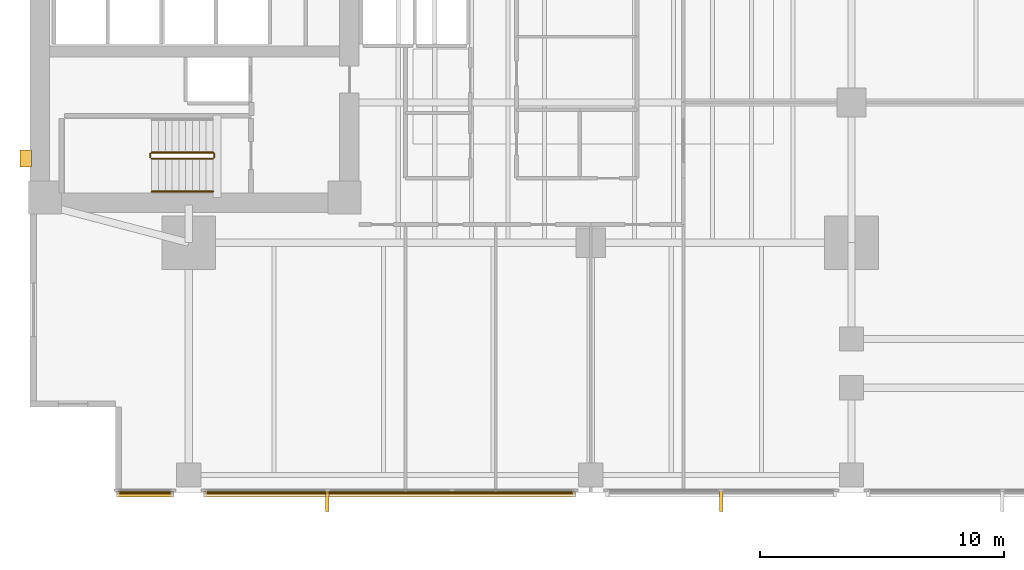
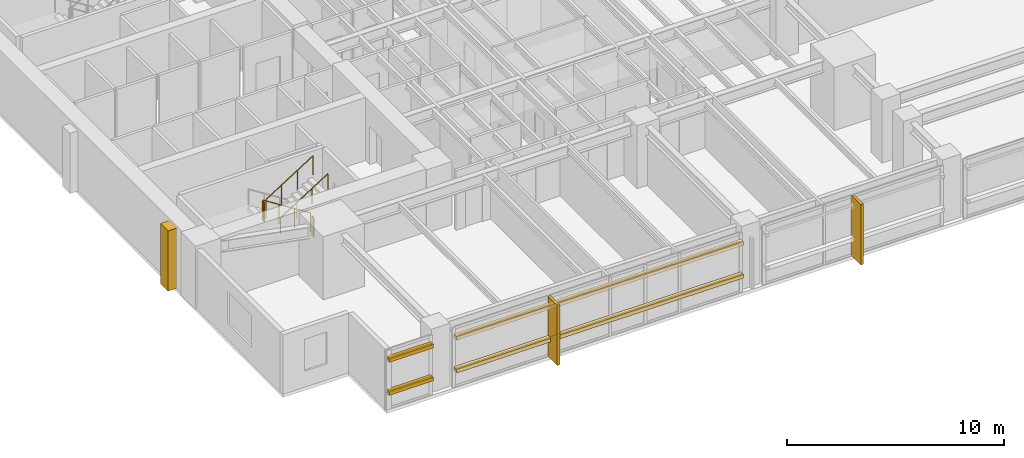
# One storey, part 12 of 15: 7 coverings, 5 railings, 4 shading devices.
"""IFC4 building model written with IfcOpenShell, lengths in metres."""

from ifc_helpers import new_model, si_unit, direction, frame, origin, origin_2d, place, context, subcontext, project, spatial, polyline, rectangle, circle, outline, extrude, material, layer, layer_set, material_profile, profile_set, type_object, element, save


model = new_model("IFC4")

# Units and contexts
model_context = context("Model", 3, precision=1e-05, world=origin(), true_north=direction((0.0, 1.0)))
body_context = subcontext(model_context, "Body", "Model", "MODEL_VIEW")
ifc_project = project(units=[si_unit("LENGTHUNIT", "METRE"), si_unit("AREAUNIT", "SQUARE_METRE"), si_unit("VOLUMEUNIT", "CUBIC_METRE"), si_unit("PLANEANGLEUNIT", "RADIAN"), si_unit("MASSUNIT", "GRAM", prefix="KILO")], contexts=[model_context])

# Site, building, storey
site_placement = place(None, origin())
site = spatial("IfcSite", under=ifc_project, at=site_placement, CompositionType="ELEMENT")
building_placement = place(site_placement, origin())
building = spatial("IfcBuilding", under=site, at=building_placement, Name="Kinhvarn Gate Tower", CompositionType="ELEMENT")
storey_placement = place(building_placement, frame((0.0, 0.0, 89.5)))
storey = spatial("IfcBuildingStorey", under=building, at=storey_placement, Name="L23", CompositionType="ELEMENT", Elevation=89.5)

# Coverings
ifc_material_1 = material(Name="Fired architectural terracotta", Category="masonry")
ifc_layer_1 = layer(ifc_material_1, 0.239990234375)
ifc_layer_set_1 = layer_set([ifc_layer_1], Name="Fired architectural terracotta")
covering_type_1 = type_object("IfcCoveringType", Name="COV-BAG-220", PredefinedType="CLADDING", material=ifc_layer_set_1)
for number, where, name in (
    (1, (0.0, 0.0, 0.93994140625), "Terracotta Horizontal Sunscreen Band TBG-220 (L23)"),
    (2, (0.0, 0.0, 2.7900390625), "Terracotta Horizontal Sunscreen Band TBG-220 (L23)"),
):
    element("IfcCovering", number, at=place(storey_placement, frame(where)), inside=storey, type_object=covering_type_1, Name=name, PredefinedType="CLADDING", context=body_context, shape_type="SweptSolid", body=[
        extrude(outline(polyline([(8.0400390625, 2.56005859375), (10.3798828125, 2.56005859375), (10.3798828125, 2.320068359375), (8.0400390625, 2.320068359375), (8.0400390625, 2.56005859375)])), origin(), (0.0, 0.0, 1.0), 0.219970703125),
    ])
for number, where, name in (
    (3, (0.0, 0.0, 0.93994140625), "Terracotta Horizontal Sunscreen Band TBG-220 (L23)"),
    (4, (0.0, 0.0, 2.7900390625), "Terracotta Horizontal Sunscreen Band TBG-220 (L23)"),
):
    element("IfcCovering", number, at=place(storey_placement, frame(where)), inside=storey, type_object=covering_type_1, Name=name, PredefinedType="CLADDING", context=body_context, shape_type="SweptSolid", body=[
        extrude(outline(polyline([(11.6201171875, 2.56005859375), (26.8798828125, 2.56005859375), (26.8798828125, 2.320068359375), (11.6201171875, 2.320068359375), (11.6201171875, 2.56005859375)])), origin(), (0.0, 0.0, 1.0), 0.219970703125),
    ])
ifc_layer_2 = layer(ifc_material_1, 0.139892578125)
ifc_layer_set_2 = layer_set([ifc_layer_2], Name="Fired architectural terracotta")
covering_type_2 = type_object("IfcCoveringType", Name="COV-FIN-850", PredefinedType="CLADDING", material=ifc_layer_set_2)
covering_1_placement = place(storey_placement, frame((0.0, 0.0, -0.02001953125)))
element("IfcCovering", 5, at=covering_1_placement, inside=storey, type_object=covering_type_2, Name="Vertical Terracotta Expressive Fin TFN-850 (L23)", PredefinedType="CLADDING", context=body_context, shape_type="SweptSolid", body=[
    extrude(outline(polyline([(16.623291015625, 2.570068359375), (16.76318359375, 2.570068359375), (16.76318359375, 1.719970703125), (16.623291015625, 1.719970703125), (16.623291015625, 2.570068359375)])), origin(), (0.0, 0.0, 1.0), 3.39013671875),
])
covering_2_placement = place(storey_placement, frame((0.0, 0.0, -0.02001953125)))
element("IfcCovering", 6, at=covering_2_placement, inside=storey, type_object=covering_type_2, Name="Vertical Terracotta Expressive Fin TFN-850 (L23)", PredefinedType="CLADDING", context=body_context, shape_type="SweptSolid", body=[
    extrude(outline(polyline([(32.780029296875, 2.570068359375), (32.919921875, 2.570068359375), (32.919921875, 1.719970703125), (32.780029296875, 1.719970703125), (32.780029296875, 2.570068359375)])), origin(), (0.0, 0.0, 1.0), 3.39013671875),
])
ifc_material_2 = material(Name="Precast white architectural concrete C40/50", Category="concrete")
ifc_layer_3 = layer(ifc_material_2, 0.47998046875)
ifc_layer_set_3 = layer_set([ifc_layer_3], Name="Precast white architectural concrete C40/50")
covering_type_3 = type_object("IfcCoveringType", Name="COV-RIB-450", PredefinedType="CLADDING", material=ifc_layer_set_3)
covering_3_placement = place(storey_placement, frame((0.0, 0.0, -0.02001953125)))
element("IfcCovering", 7, at=covering_3_placement, inside=storey, type_object=covering_type_3, Name="West Core Sculptural Concrete Relief Rib CRB-450 (L23)", PredefinedType="CLADDING", context=body_context, shape_type="SweptSolid", body=[
    extrude(outline(polyline([(4.080078125, 15.85009765625), (4.56005859375, 15.85009765625), (4.56005859375, 16.550048828125), (4.080078125, 16.550048828125), (4.080078125, 15.85009765625)])), origin(), (0.0, 0.0, 1.0), 3.39013671875),
])

# Railings
ifc_material_3 = material(Name="Steel S355", Category="steel")
railing_type_1 = type_object("IfcRailingType", Name="RL-ST-GRD", PredefinedType="BALUSTRADE", material=ifc_material_3)
railing_1_placement = place(storey_placement, frame((12.0, 16.449951171875, 0.177490234375)))
element("IfcRailing", 8, at=railing_1_placement, inside=storey, type_object=railing_type_1, Name="L23 ST1 stair guard 1", PredefinedType="BALUSTRADE", context=body_context, shape_type="SweptSolid", body=[
    extrude(circle(Radius=0.02392578125, at=origin_2d()), frame((0.0, 0.0, 1.076171875), z_axis=(-0.84460694969, 0.0, 0.535386869969), x_axis=(0.0, -1.0, 0.0)), (0.0, 0.0, 1.0), 2.983642578125),
    extrude(circle(Radius=0.02099609375, at=origin_2d()), origin(), (0.0, 0.0, 1.0), 1.052001953125),
    extrude(circle(Radius=0.02099609375, at=origin_2d()), frame((-0.840087890625, 0.0, 0.532470703125)), (0.0, 0.0, 1.0), 1.052001953125),
    extrude(circle(Radius=0.02099609375, at=origin_2d()), frame((-1.679931640625, 0.0, 1.06494140625)), (0.0, 0.0, 1.0), 1.052001953125),
    extrude(circle(Radius=0.02099609375, at=origin_2d()), frame((-2.52001953125, 0.0, 1.597412109375)), (0.0, 0.0, 1.0), 1.052001953125),
])
railing_2_placement = place(storey_placement, frame((9.429931640625, 16.39990234375, 1.77490234375)))
element("IfcRailing", 9, at=railing_2_placement, inside=storey, type_object=railing_type_1, Name="L23 ST1 stair guard 2", PredefinedType="BALUSTRADE", context=body_context, shape_type="SweptSolid", body=[
    extrude(circle(Radius=0.02392578125, at=origin_2d()), frame((0.0, 0.0, 1.076171875), z_axis=(0.0, -1.0, 0.0), x_axis=(1.0, 0.0, 0.0)), (0.0, 0.0, 1.0), 0.14990234375),
    extrude(circle(Radius=0.02099609375, at=origin_2d()), origin(), (0.0, 0.0, 1.0), 1.052001953125),
    extrude(circle(Radius=0.02099609375, at=origin_2d()), frame((0.0, -0.14990234375, 0.0)), (0.0, 0.0, 1.0), 1.052001953125),
])
railing_3_placement = place(storey_placement, frame((9.47998046875, 16.199951171875, 1.952392578125)))
element("IfcRailing", 10, at=railing_3_placement, inside=storey, type_object=railing_type_1, Name="L23 ST1 stair guard 3", PredefinedType="BALUSTRADE", context=body_context, shape_type="SweptSolid", body=[
    extrude(circle(Radius=0.02392578125, at=origin_2d()), frame((0.0, 0.0, 1.076171875), z_axis=(0.84456994832, 0.0, 0.535445237532), x_axis=(0.0, 1.0, 0.0)), (0.0, 0.0, 1.0), 2.98388671875),
    extrude(circle(Radius=0.02099609375, at=origin_2d()), origin(), (0.0, 0.0, 1.0), 1.052001953125),
    extrude(circle(Radius=0.02099609375, at=origin_2d()), frame((0.840087890625, 0.0, 0.532470703125)), (0.0, 0.0, 1.0), 1.052001953125),
    extrude(circle(Radius=0.02099609375, at=origin_2d()), frame((1.679931640625, 0.0, 1.065185546875)), (0.0, 0.0, 1.0), 1.052001953125),
    extrude(circle(Radius=0.02099609375, at=origin_2d()), frame((2.52001953125, 0.0, 1.59765625)), (0.0, 0.0, 1.0), 1.052001953125),
])
railing_4_placement = place(storey_placement, frame((12.050048828125, 16.39990234375, 0.0)))
element("IfcRailing", 11, at=railing_4_placement, inside=storey, type_object=railing_type_1, Name="L23 ST1 stair guard 4", PredefinedType="BALUSTRADE", context=body_context, shape_type="SweptSolid", body=[
    extrude(circle(Radius=0.02392578125, at=origin_2d()), frame((0.0, 0.0, 1.076171875), z_axis=(0.0, -1.0, 0.0), x_axis=(1.0, 0.0, 0.0)), (0.0, 0.0, 1.0), 0.14990234375),
    extrude(circle(Radius=0.02099609375, at=origin_2d()), origin(), (0.0, 0.0, 1.0), 1.052001953125),
    extrude(circle(Radius=0.02099609375, at=origin_2d()), frame((0.0, -0.14990234375, 0.0)), (0.0, 0.0, 1.0), 1.052001953125),
])
railing_type_2 = type_object("IfcRailingType", Name="RL-ST-HND", PredefinedType="HANDRAIL", material=ifc_material_3)
railing_5_placement = place(storey_placement, frame((9.47998046875, 14.85009765625, 1.952392578125)))
element("IfcRailing", 12, at=railing_5_placement, inside=storey, type_object=railing_type_2, Name="L23 ST1 stair handrail 2", PredefinedType="HANDRAIL", context=body_context, shape_type="SweptSolid", body=[
    extrude(circle(Radius=0.02392578125, at=origin_2d()), frame((0.0, 0.0, 0.8759765625), z_axis=(0.84456994832, 0.0, 0.535445237532), x_axis=(0.0, 1.0, 0.0)), (0.0, 0.0, 1.0), 2.98388671875),
    extrude(circle(Radius=0.02099609375, at=origin_2d()), origin(), (0.0, 0.0, 1.0), 0.851806640625),
    extrude(circle(Radius=0.02099609375, at=origin_2d()), frame((0.840087890625, 0.0, 0.532470703125)), (0.0, 0.0, 1.0), 0.851806640625),
    extrude(circle(Radius=0.02099609375, at=origin_2d()), frame((1.679931640625, 0.0, 1.065185546875)), (0.0, 0.0, 1.0), 0.851806640625),
    extrude(circle(Radius=0.02099609375, at=origin_2d()), frame((2.52001953125, 0.0, 1.59765625)), (0.0, 0.0, 1.0), 0.851806640625),
])

# Shading devices
ifc_material_profile = material_profile(ifc_material_1, rectangle(XDim=0.06005859375, YDim=0.139892578125, at=origin_2d()), Name="TC 60x140")
ifc_profile_set = profile_set([ifc_material_profile], Name="Fired architectural terracotta")
shading_device_type = type_object("IfcShadingDeviceType", Name="SHD-BAG-180", PredefinedType="USERDEFINED", material=ifc_profile_set)
for number, where, z_axis, x_axis, name in (
    (13, (8.0400390625, 2.485107421875, 1.050048828125), (1.0, 0.0, 0.0), (0.0, 1.0, 0.0), "Fired Terracotta Baguette Screen Rod 60x140 mm (L23)"),
    (14, (8.0400390625, 2.485107421875, 2.89990234375), (1.0, 0.0, 0.0), (0.0, 1.0, 0.0), "Fired Terracotta Baguette Screen Rod 60x140 mm (L23)"),
):
    element("IfcShadingDevice", number, at=place(storey_placement, frame(where, z_axis=z_axis, x_axis=x_axis)), inside=storey, type_object=shading_device_type, Name=name, ObjectType="BAGUETTE", PredefinedType="USERDEFINED", context=body_context, shape_type="SweptSolid", body=[
        extrude(rectangle(XDim=0.06005859375, YDim=0.139892578125, at=origin_2d()), origin(), (0.0, 0.0, 1.0), 2.33984375),
    ])
for number, where, z_axis, x_axis, name in (
    (15, (11.6201171875, 2.485107421875, 1.050048828125), (1.0, 0.0, 0.0), (0.0, 1.0, 0.0), "Fired Terracotta Baguette Screen Rod 60x140 mm (L23)"),
    (16, (11.6201171875, 2.485107421875, 2.89990234375), (1.0, 0.0, 0.0), (0.0, 1.0, 0.0), "Fired Terracotta Baguette Screen Rod 60x140 mm (L23)"),
):
    element("IfcShadingDevice", number, at=place(storey_placement, frame(where, z_axis=z_axis, x_axis=x_axis)), inside=storey, type_object=shading_device_type, Name=name, ObjectType="BAGUETTE", PredefinedType="USERDEFINED", context=body_context, shape_type="SweptSolid", body=[
        extrude(rectangle(XDim=0.06005859375, YDim=0.139892578125, at=origin_2d()), origin(), (0.0, 0.0, 1.0), 15.259765625),
    ])

save(model, "model.ifc")
